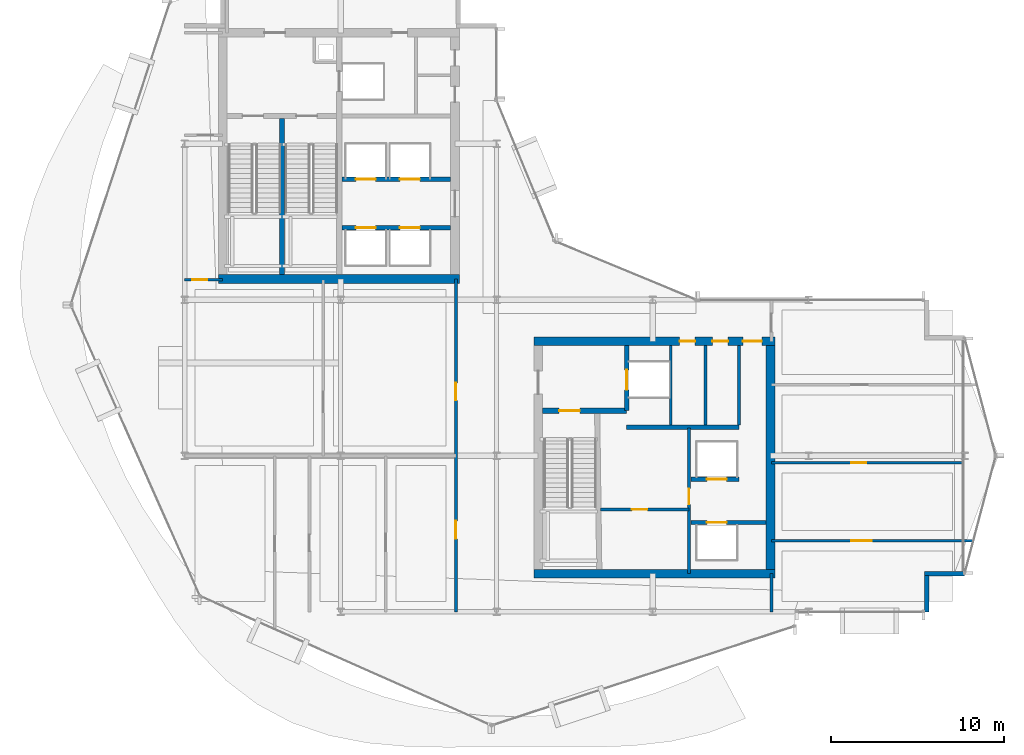
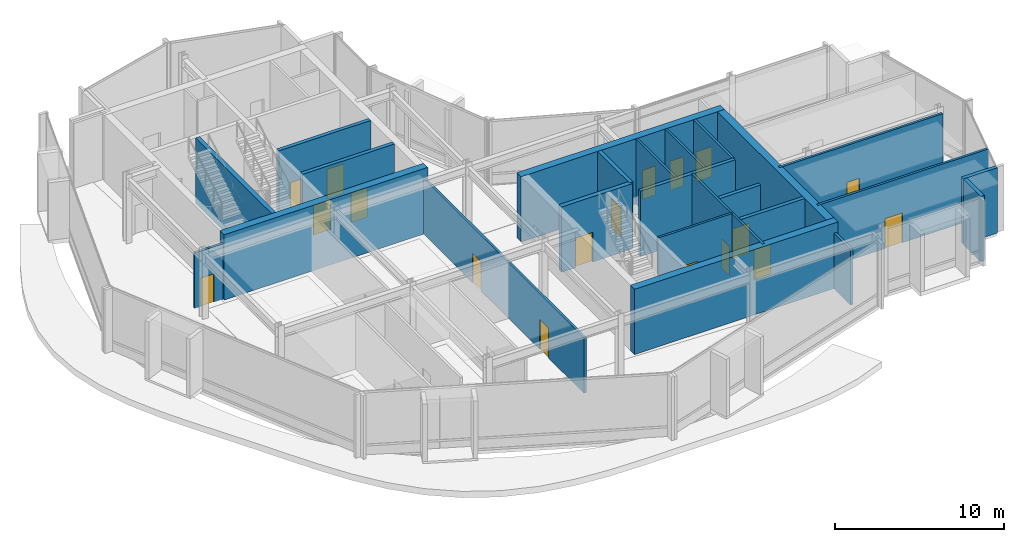
# One storey, part 20 of 28: 24 walls, 18 doors, 18 openings.
"""IFC4 building model written with IfcOpenShell, lengths in metres."""

from ifc_helpers import new_model, si_unit, direction, frame, frame_2d, origin, place, context, subcontext, project, spatial, rectangle, extrude, material, layer, layer_set, type_object, element, fill, save


model = new_model("IFC4")

# Units and contexts
model_context = context("Model", 3, precision=1e-05, world=origin(), true_north=direction((0.0, 1.0)))
body_context = subcontext(model_context, "Body", "Model", "MODEL_VIEW")
ifc_project = project(units=[si_unit("LENGTHUNIT", "METRE"), si_unit("AREAUNIT", "SQUARE_METRE"), si_unit("VOLUMEUNIT", "CUBIC_METRE"), si_unit("PLANEANGLEUNIT", "RADIAN"), si_unit("MASSUNIT", "GRAM", prefix="KILO")], contexts=[model_context])

# Site, building, storey
site_placement = place(None, origin())
site = spatial("IfcSite", under=ifc_project, at=site_placement, CompositionType="ELEMENT")
building_placement = place(site_placement, origin())
building = spatial("IfcBuilding", under=site, at=building_placement, Name="Solvaryn Broadcast Tower", CompositionType="ELEMENT")
storey_placement = place(building_placement, frame((0.0, 0.0, 201.199951171875)))
storey = spatial("IfcBuildingStorey", under=building, at=storey_placement, Name="L50", CompositionType="ELEMENT", Elevation=201.199951171875)

# Walls
ifc_material_1 = material(Name="Concrete f'c 70 MPa", Category="concrete")
ifc_layer_1 = layer(ifc_material_1, 0.5)
ifc_layer_set_1 = layer_set([ifc_layer_1], Name="CW-SHEAR-500")
wall_type_1 = type_object("IfcWallType", Name="CW-SHEAR-500", PredefinedType="SHEAR", material=ifc_layer_set_1)
for number, where, z_axis, x_axis, name in (
    (1, (10.949951171875, 28.199951171875, 0.0), (0.0, 0.0, 1.0), (1.0, 0.0, 0.0), "L50 West Core South Shear Wall"),
    (2, (29.14990234375, 11.199951171875, 0.0), (0.0, 0.0, 1.0), (1.0, 0.0, 0.0), "L50 East Core South Shear Wall"),
):
    element("IfcWall", number, at=place(storey_placement, frame(where, z_axis=z_axis, x_axis=x_axis)), inside=storey, type_object=wall_type_1, Name=name, PredefinedType="SHEAR", context=body_context, shape_type="SweptSolid", body=[
        extrude(rectangle(XDim=13.900146484375, YDim=0.5, at=frame_2d((6.9501953125, 0.0))), origin(), (0.0, 0.0, 1.0), 4.719970703125),
    ])

# Wall, openings, doors
wall_1_placement = place(storey_placement, frame((43.050048828125, 24.60009765625, 0.0), z_axis=(0.0, 0.0, 1.0), x_axis=(-1.0, 0.0, 0.0)))
wall_1 = element("IfcWall", 3, at=wall_1_placement, inside=storey, type_object=wall_type_1, Name="L50 East Core North Shear Wall", PredefinedType="SHEAR", context=body_context, shape_type="SweptSolid", body=[
    extrude(rectangle(XDim=13.900146484375, YDim=0.5, at=frame_2d((6.9501953125, 0.0))), origin(), (0.0, 0.0, 1.0), 4.719970703125),
])
opening_1_placement = place(wall_1_placement, frame((0.75, 0.0, 0.0)))
opening_1 = element("IfcOpeningElement", 4, at=opening_1_placement, cuts=wall_1, Name="Opening FD90C", PredefinedType="OPENING", context=body_context, shape_type="SweptSolid", body=[
    extrude(rectangle(XDim=1.10009765625, YDim=2.14990234375, at=frame_2d((0.550048828125, 1.074951171875))), frame((0.0, 0.260009765625, 0.0), z_axis=(0.0, -1.0, 0.0), x_axis=(1.0, 0.0, 0.0)), (0.0, 0.0, 1.0), 0.52001953125),
])
opening_2_placement = place(wall_1_placement, frame((2.699951171875, 0.0, 0.0)))
opening_2 = element("IfcOpeningElement", 5, at=opening_2_placement, cuts=wall_1, Name="Opening FD60C", PredefinedType="OPENING", context=body_context, shape_type="SweptSolid", body=[
    extrude(rectangle(XDim=0.89990234375, YDim=2.10009765625, at=frame_2d((0.449951171875, 1.050048828125))), frame((0.0, 0.260009765625, 0.0), z_axis=(0.0, -1.0, 0.0), x_axis=(1.0, 0.0, 0.0)), (0.0, 0.0, 1.0), 0.52001953125),
])
opening_3_placement = place(wall_1_placement, frame((4.60009765625, 0.0, 0.0)))
opening_3 = element("IfcOpeningElement", 6, at=opening_3_placement, cuts=wall_1, Name="Opening FD60C", PredefinedType="OPENING", context=body_context, shape_type="SweptSolid", body=[
    extrude(rectangle(XDim=0.89990234375, YDim=2.10009765625, at=frame_2d((0.449951171875, 1.050048828125))), frame((0.0, 0.260009765625, 0.0), z_axis=(0.0, -1.0, 0.0), x_axis=(1.0, 0.0, 0.0)), (0.0, 0.0, 1.0), 0.52001953125),
])
ifc_material_2 = material(Name="Flush Acoustic Steel and Timber Door Assembly", Category="steel")
door_type_1 = type_object("IfcDoorType", Name="FD60-SERV-900X2100", OperationType="NOTDEFINED", PredefinedType="DOOR", material=ifc_material_2)
door_1_placement = place(opening_2_placement, origin())
door_1 = element("IfcDoor", 7, at=door_1_placement, inside=storey, type_object=door_type_1, Name="L50 Staff Restroom Door", OperationType="SINGLE_SWING_LEFT", OverallHeight=2.10009765625, OverallWidth=0.89990234375, PredefinedType="DOOR", context=body_context, shape_type="SweptSolid", body=[
    extrude(rectangle(XDim=0.89990234375, YDim=2.10009765625, at=frame_2d((0.449951171875, 1.050048828125))), frame((0.0, 0.02490234375, 0.0), z_axis=(0.0, -1.0, 0.0), x_axis=(1.0, 0.0, 0.0)), (0.0, 0.0, 1.0), 0.050048828125),
])
fill(opening_2, door_1)
door_2_placement = place(opening_3_placement, origin())
door_2 = element("IfcDoor", 8, at=door_2_placement, inside=storey, type_object=door_type_1, Name="L50 Accessible WC Door", OperationType="SINGLE_SWING_RIGHT", OverallHeight=2.10009765625, OverallWidth=0.89990234375, PredefinedType="DOOR", context=body_context, shape_type="SweptSolid", body=[
    extrude(rectangle(XDim=0.89990234375, YDim=2.10009765625, at=frame_2d((0.449951171875, 1.050048828125))), frame((0.0, 0.02490234375, 0.0), z_axis=(0.0, -1.0, 0.0), x_axis=(1.0, 0.0, 0.0)), (0.0, 0.0, 1.0), 0.050048828125),
])
fill(opening_3, door_2)
ifc_material_3 = material(Name="Flush Acoustic Steel and Timber Door Assembly", Category="steel")
door_type_2 = type_object("IfcDoorType", Name="FD90-PLANT-1100X2150", OperationType="NOTDEFINED", PredefinedType="DOOR", material=ifc_material_3)
door_3_placement = place(opening_1_placement, origin())
door_3 = element("IfcDoor", 9, at=door_3_placement, inside=storey, type_object=door_type_2, Name="L50 East Core Lobby Corridor Door", OperationType="SINGLE_SWING_LEFT", OverallHeight=2.14990234375, OverallWidth=1.10009765625, PredefinedType="DOOR", context=body_context, shape_type="SweptSolid", body=[
    extrude(rectangle(XDim=1.10009765625, YDim=2.14990234375, at=frame_2d((0.550048828125, 1.074951171875))), frame((0.0, 0.02490234375, 0.0), z_axis=(0.0, -1.0, 0.0), x_axis=(1.0, 0.0, 0.0)), (0.0, 0.0, 1.0), 0.050048828125),
])
fill(opening_1, door_3)

# Walls
wall_2_placement = place(storey_placement, frame((42.800048828125, 11.449951171875, 0.0), z_axis=(0.0, 0.0, 1.0), x_axis=(0.0, 1.0, 0.0)))
element("IfcWall", 10, at=wall_2_placement, inside=storey, type_object=wall_type_1, Name="L50 East Core East Shear Wall", PredefinedType="SHEAR", context=body_context, shape_type="SweptSolid", body=[
    extrude(rectangle(XDim=12.900146484375, YDim=0.5, at=frame_2d((6.4501953125, 0.0))), origin(), (0.0, 0.0, 1.0), 4.719970703125),
])
ifc_material_4 = material(Name="Concrete f'c 50 MPa", Category="concrete")
ifc_layer_2 = layer(ifc_material_4, 0.260009765625)
ifc_layer_set_2 = layer_set([ifc_layer_2], Name="EW-PIER-260")
wall_type_2 = type_object("IfcWallType", Name="EW-PIER-260", PredefinedType="SOLIDWALL", material=ifc_layer_set_2)
wall_3_placement = place(storey_placement, frame((51.800048828125, 9.0, 0.0), z_axis=(0.0, 0.0, 1.0), x_axis=(0.0, 1.0, 0.0)))
element("IfcWall", 11, at=wall_3_placement, inside=storey, type_object=wall_type_2, Name="L50 Notched Corner Pier Wall NSE1", PredefinedType="SOLIDWALL", context=body_context, shape_type="SweptSolid", body=[
    extrude(rectangle(XDim=2.080078125, YDim=0.260009765625, at=frame_2d((1.0400390625, 0.0))), origin(), (0.0, 0.0, 1.0), 4.719970703125),
])
wall_4_placement = place(storey_placement, frame((51.679931640625, 11.199951171875, 0.0), z_axis=(0.0, 0.0, 1.0), x_axis=(1.0, 0.0, 0.0)))
element("IfcWall", 12, at=wall_4_placement, inside=storey, type_object=wall_type_2, Name="L50 Notched Corner Pier Wall NSE2", PredefinedType="SOLIDWALL", context=body_context, shape_type="SweptSolid", body=[
    extrude(rectangle(XDim=2.320068359375, YDim=0.260009765625, at=frame_2d((1.16015625, 0.0))), origin(), (0.0, 0.0, 1.0), 4.719970703125),
])

# Wall, opening, door
ifc_material_5 = material(Name="Metal-Stud Service Core Partition")
ifc_layer_3 = layer(ifc_material_5, 0.14990234375)
ifc_layer_set_3 = layer_set([ifc_layer_3], Name="IW-PART-150")
wall_type_3 = type_object("IfcWallType", Name="IW-PART-150", PredefinedType="PARTITIONING", material=ifc_layer_set_3)
wall_5_placement = place(storey_placement, frame((33.0, 14.89990234375, 0.0), z_axis=(0.0, 0.0, 1.0), x_axis=(1.0, 0.0, 0.0)))
wall_5 = element("IfcWall", 13, at=wall_5_placement, inside=storey, type_object=wall_type_3, Name="L50 Interior Partition IW-L50-RPL-H", PredefinedType="PARTITIONING", context=body_context, shape_type="SweptSolid", body=[
    extrude(rectangle(XDim=5.10009765625, YDim=0.14990234375, at=frame_2d((2.550048828125, 0.0))), origin(), (0.0, 0.0, 1.0), 4.719970703125),
])
opening_4_placement = place(wall_5_placement, frame((1.800048828125, 0.0, 0.0)))
opening_4 = element("IfcOpeningElement", 14, at=opening_4_placement, cuts=wall_5, Name="Opening FD60C", PredefinedType="OPENING", context=body_context, shape_type="SweptSolid", body=[
    extrude(rectangle(XDim=0.89990234375, YDim=2.10009765625, at=frame_2d((0.449951171875, 1.050048828125))), frame((0.0, 0.0849609375, 0.0), z_axis=(0.0, -1.0, 0.0), x_axis=(1.0, 0.0, 0.0)), (0.0, 0.0, 1.0), 0.169921875),
])
door_4_placement = place(opening_4_placement, origin())
door_4 = element("IfcDoor", 15, at=door_4_placement, inside=storey, type_object=door_type_1, Name="L50 Door DR-L50-RPL1", OperationType="SINGLE_SWING_LEFT", OverallHeight=2.10009765625, OverallWidth=0.89990234375, PredefinedType="DOOR", context=body_context, shape_type="SweptSolid", body=[
    extrude(rectangle(XDim=0.89990234375, YDim=2.10009765625, at=frame_2d((0.449951171875, 1.050048828125))), frame((0.0, 0.02490234375, 0.0), z_axis=(0.0, -1.0, 0.0), x_axis=(1.0, 0.0, 0.0)), (0.0, 0.0, 1.0), 0.050048828125),
])
fill(opening_4, door_4)

wall_6_placement = place(storey_placement, frame((38.10009765625, 11.199951171875, 0.0), z_axis=(0.0, 0.0, 1.0), x_axis=(0.0, 1.0, 0.0)))
wall_6 = element("IfcWall", 16, at=wall_6_placement, inside=storey, type_object=wall_type_3, Name="L50 Interior Partition IW-L50-RPL-E", PredefinedType="PARTITIONING", context=body_context, shape_type="SweptSolid", body=[
    extrude(rectangle(XDim=8.400146484375, YDim=0.14990234375, at=frame_2d((4.2001953125, 0.0))), origin(), (0.0, 0.0, 1.0), 4.719970703125),
])
opening_5_placement = place(wall_6_placement, frame((4.0, 0.0, 0.0)))
opening_5 = element("IfcOpeningElement", 17, at=opening_5_placement, cuts=wall_6, Name="Opening FD60C", PredefinedType="OPENING", context=body_context, shape_type="SweptSolid", body=[
    extrude(rectangle(XDim=0.89990234375, YDim=2.10009765625, at=frame_2d((0.449951171875, 1.050048828125))), frame((0.0, 0.0849609375, 0.0), z_axis=(0.0, -1.0, 0.0), x_axis=(1.0, 0.0, 0.0)), (0.0, 0.0, 1.0), 0.169921875),
])
door_5_placement = place(opening_5_placement, origin())
door_5 = element("IfcDoor", 18, at=door_5_placement, inside=storey, type_object=door_type_1, Name="L50 Door DR-L50-RPL2", OperationType="SINGLE_SWING_RIGHT", OverallHeight=2.10009765625, OverallWidth=0.89990234375, PredefinedType="DOOR", context=body_context, shape_type="SweptSolid", body=[
    extrude(rectangle(XDim=0.89990234375, YDim=2.10009765625, at=frame_2d((0.449951171875, 1.050048828125))), frame((0.0, 0.02490234375, 0.0), z_axis=(0.0, -1.0, 0.0), x_axis=(1.0, 0.0, 0.0)), (0.0, 0.0, 1.0), 0.050048828125),
])
fill(opening_5, door_5)

# Walls
for number, where, z_axis, x_axis, name in (
    (19, (37.050048828125, 19.780029296875, 0.0), (0.0, 0.0, 1.0), (0.0, 1.0, 0.0), "L50 Interior Partition IW-L50-CE-FL2E"),
    (20, (39.050048828125, 19.780029296875, 0.0), (0.0, 0.0, 1.0), (0.0, 1.0, 0.0), "L50 Interior Partition IW-L50-CE-V1"),
    (21, (40.97998046875, 19.780029296875, 0.0), (0.0, 0.0, 1.0), (0.0, 1.0, 0.0), "L50 Interior Partition IW-L50-CE-V3"),
):
    element("IfcWall", number, at=place(storey_placement, frame(where, z_axis=z_axis, x_axis=x_axis)), inside=storey, type_object=wall_type_3, Name=name, PredefinedType="PARTITIONING", context=body_context, shape_type="SweptSolid", body=[
        extrude(rectangle(XDim=4.570068359375, YDim=0.14990234375, at=frame_2d((2.28515625, 0.0))), origin(), (0.0, 0.0, 1.0), 4.719970703125),
    ])

# Wall, opening, door
ifc_material_6 = material(Name="Metal-Stud Gypsum Office Partition")
ifc_layer_4 = layer(ifc_material_6, 0.159912109375)
ifc_layer_set_4 = layer_set([ifc_layer_4], Name="IW-PART-160")
wall_type_4 = type_object("IfcWallType", Name="IW-PART-160", PredefinedType="PARTITIONING", material=ifc_layer_set_4)
wall_7_placement = place(storey_placement, frame((9.0, 28.14990234375, 0.0), z_axis=(0.0, 0.0, 1.0), x_axis=(1.0, 0.0, 0.0)))
wall_7 = element("IfcWall", 22, at=wall_7_placement, inside=storey, type_object=wall_type_4, Name="L50 Interior Partition IW-L50-WM-S", PredefinedType="PARTITIONING", context=body_context, shape_type="SweptSolid", body=[
    extrude(rectangle(XDim=2.199951171875, YDim=0.159912109375, at=frame_2d((1.10009765625, 0.0))), origin(), (0.0, 0.0, 1.0), 4.007080078125),
])
opening_6_placement = place(wall_7_placement, frame((0.449951171875, 0.0, 0.0)))
opening_6 = element("IfcOpeningElement", 23, at=opening_6_placement, cuts=wall_7, Name="Opening ID07", PredefinedType="OPENING", context=body_context, shape_type="SweptSolid", body=[
    extrude(rectangle(XDim=0.860107421875, YDim=2.050048828125, at=frame_2d((0.43017578125, 1.02490234375))), frame((0.0, 0.090087890625, 0.0), z_axis=(0.0, -1.0, 0.0), x_axis=(1.0, 0.0, 0.0)), (0.0, 0.0, 1.0), 0.179931640625),
])
ifc_material_7 = material(Name="Flush Acoustic Steel and Timber Door Assembly", Category="steel")
door_type_3 = type_object("IfcDoorType", Name="ID-07-860X2050", OperationType="NOTDEFINED", PredefinedType="DOOR", material=ifc_material_7)
door_6_placement = place(opening_6_placement, origin())
door_6 = element("IfcDoor", 24, at=door_6_placement, inside=storey, type_object=door_type_3, Name="L50 Door DR-L50-WM0", OperationType="SINGLE_SWING_RIGHT", OverallHeight=2.050048828125, OverallWidth=0.860107421875, PredefinedType="DOOR", context=body_context, shape_type="SweptSolid", body=[
    extrude(rectangle(XDim=0.860107421875, YDim=2.050048828125, at=frame_2d((0.43017578125, 1.02490234375))), frame((0.0, 0.02490234375, 0.0), z_axis=(0.0, -1.0, 0.0), x_axis=(1.0, 0.0, 0.0)), (0.0, 0.0, 1.0), 0.050048828125),
])
fill(opening_6, door_6)

# Wall, openings, doors
wall_8_placement = place(storey_placement, frame((24.64990234375, 9.0, 0.0), z_axis=(0.0, 0.0, 1.0), x_axis=(0.0, 1.0, 0.0)))
wall_8 = element("IfcWall", 25, at=wall_8_placement, inside=storey, type_object=wall_type_4, Name="L50 Interior Partition IW-L50-SW-EB", PredefinedType="PARTITIONING", context=body_context, shape_type="SweptSolid", body=[
    extrude(rectangle(XDim=19.199951171875, YDim=0.159912109375, at=frame_2d((9.60009765625, 0.0))), origin(), (0.0, 0.0, 1.0), 4.007080078125),
])
opening_7_placement = place(wall_8_placement, frame((12.199951171875, 0.0, 0.0)))
opening_7 = element("IfcOpeningElement", 26, at=opening_7_placement, cuts=wall_8, Name="Opening ID02", PredefinedType="OPENING", context=body_context, shape_type="SweptSolid", body=[
    extrude(rectangle(XDim=1.0, YDim=2.10009765625, at=frame_2d((0.5, 1.050048828125))), frame((0.0, 0.090087890625, 0.0), z_axis=(0.0, -1.0, 0.0), x_axis=(1.0, 0.0, 0.0)), (0.0, 0.0, 1.0), 0.179931640625),
])
opening_8_placement = place(wall_8_placement, frame((4.199951171875, 0.0, 0.0)))
opening_8 = element("IfcOpeningElement", 27, at=opening_8_placement, cuts=wall_8, Name="Opening ID03", PredefinedType="OPENING", context=body_context, shape_type="SweptSolid", body=[
    extrude(rectangle(XDim=1.050048828125, YDim=2.14990234375, at=frame_2d((0.52490234375, 1.074951171875))), frame((0.0, 0.090087890625, 0.0), z_axis=(0.0, -1.0, 0.0), x_axis=(1.0, 0.0, 0.0)), (0.0, 0.0, 1.0), 0.179931640625),
])
ifc_material_8 = material(Name="Flush Acoustic Steel and Timber Door Assembly", Category="steel")
door_type_4 = type_object("IfcDoorType", Name="ID-02-1000X2100", OperationType="NOTDEFINED", PredefinedType="DOOR", material=ifc_material_8)
door_7_placement = place(opening_7_placement, origin())
door_7 = element("IfcDoor", 28, at=door_7_placement, inside=storey, type_object=door_type_4, Name="L50 Door DR-L50-SW-EN", OperationType="SINGLE_SWING_RIGHT", OverallHeight=2.10009765625, OverallWidth=1.0, PredefinedType="DOOR", context=body_context, shape_type="SweptSolid", body=[
    extrude(rectangle(XDim=1.0, YDim=2.10009765625, at=frame_2d((0.5, 1.050048828125))), frame((0.0, 0.02490234375, 0.0), z_axis=(0.0, -1.0, 0.0), x_axis=(1.0, 0.0, 0.0)), (0.0, 0.0, 1.0), 0.050048828125),
])
fill(opening_7, door_7)
ifc_material_9 = material(Name="Flush Acoustic Steel and Timber Door Assembly", Category="steel")
door_type_5 = type_object("IfcDoorType", Name="ID-03-1050X2150", OperationType="NOTDEFINED", PredefinedType="DOOR", material=ifc_material_9)
door_8_placement = place(opening_8_placement, origin())
door_8 = element("IfcDoor", 29, at=door_8_placement, inside=storey, type_object=door_type_5, Name="L50 Door DR-L50-SW-ES", OperationType="SINGLE_SWING_LEFT", OverallHeight=2.14990234375, OverallWidth=1.050048828125, PredefinedType="DOOR", context=body_context, shape_type="SweptSolid", body=[
    extrude(rectangle(XDim=1.050048828125, YDim=2.14990234375, at=frame_2d((0.52490234375, 1.074951171875))), frame((0.0, 0.02490234375, 0.0), z_axis=(0.0, -1.0, 0.0), x_axis=(1.0, 0.0, 0.0)), (0.0, 0.0, 1.0), 0.050048828125),
])
fill(opening_8, door_8)

# Wall
wall_9_placement = place(storey_placement, frame((42.85009765625, 9.0, 0.0), z_axis=(0.0, 0.0, 1.0), x_axis=(0.0, 1.0, 0.0)))
element("IfcWall", 30, at=wall_9_placement, inside=storey, type_object=wall_type_4, Name="L50 Interior Partition IW-L50-SC-E", PredefinedType="PARTITIONING", context=body_context, shape_type="SweptSolid", body=[
    extrude(rectangle(XDim=2.199951171875, YDim=0.159912109375, at=frame_2d((1.10009765625, 0.0))), origin(), (0.0, 0.0, 1.0), 4.007080078125),
])

# Wall, opening, door
wall_10_placement = place(storey_placement, frame((42.85009765625, 13.10009765625, 0.0), z_axis=(0.0, 0.0, 1.0), x_axis=(1.0, 0.0, 0.0)))
wall_10 = element("IfcWall", 31, at=wall_10_placement, inside=storey, type_object=wall_type_4, Name="L50 Interior Partition IW-L50-EW-H1", PredefinedType="PARTITIONING", context=body_context, shape_type="SweptSolid", body=[
    extrude(rectangle(XDim=11.65283203125, YDim=0.159912109375, at=frame_2d((5.826416015625, 0.0))), origin(), (0.0, 0.0, 1.0), 4.719970703125),
])
opening_9_placement = place(wall_10_placement, frame((4.60009765625, 0.0, 0.0)))
opening_9 = element("IfcOpeningElement", 32, at=opening_9_placement, cuts=wall_10, Name="Opening ID04", PredefinedType="OPENING", context=body_context, shape_type="SweptSolid", body=[
    extrude(rectangle(XDim=1.199951171875, YDim=2.14990234375, at=frame_2d((0.60009765625, 1.074951171875))), frame((0.0, 0.090087890625, 0.0), z_axis=(0.0, -1.0, 0.0), x_axis=(1.0, 0.0, 0.0)), (0.0, 0.0, 1.0), 0.179931640625),
])
ifc_material_10 = material(Name="Flush Acoustic Steel and Timber Door Assembly", Category="steel")
door_type_6 = type_object("IfcDoorType", Name="ID-04-1200X2150", OperationType="NOTDEFINED", PredefinedType="DOOR", material=ifc_material_10)
door_9_placement = place(opening_9_placement, origin())
door_9 = element("IfcDoor", 33, at=door_9_placement, inside=storey, type_object=door_type_6, Name="L50 Door DR-L50-EW-1", OperationType="SINGLE_SWING_LEFT", OverallHeight=2.14990234375, OverallWidth=1.199951171875, PredefinedType="DOOR", context=body_context, shape_type="SweptSolid", body=[
    extrude(rectangle(XDim=1.199951171875, YDim=2.14990234375, at=frame_2d((0.60009765625, 1.074951171875))), frame((0.0, 0.02490234375, 0.0), z_axis=(0.0, -1.0, 0.0), x_axis=(1.0, 0.0, 0.0)), (0.0, 0.0, 1.0), 0.050048828125),
])
fill(opening_9, door_9)

wall_11_placement = place(storey_placement, frame((42.85009765625, 17.60009765625, 0.0), z_axis=(0.0, 0.0, 1.0), x_axis=(1.0, 0.0, 0.0)))
wall_11 = element("IfcWall", 34, at=wall_11_placement, inside=storey, type_object=wall_type_4, Name="L50 Interior Partition IW-L50-EW-H2", PredefinedType="PARTITIONING", context=body_context, shape_type="SweptSolid", body=[
    extrude(rectangle(XDim=11.14990234375, YDim=0.159912109375, at=frame_2d((5.574951171875, 0.0))), origin(), (0.0, 0.0, 1.0), 4.719970703125),
])
opening_10_placement = place(wall_11_placement, frame((4.60009765625, 0.0, 0.0)))
opening_10 = element("IfcOpeningElement", 35, at=opening_10_placement, cuts=wall_11, Name="Opening ID07", PredefinedType="OPENING", context=body_context, shape_type="SweptSolid", body=[
    extrude(rectangle(XDim=0.860107421875, YDim=2.050048828125, at=frame_2d((0.43017578125, 1.02490234375))), frame((0.0, 0.090087890625, 0.0), z_axis=(0.0, -1.0, 0.0), x_axis=(1.0, 0.0, 0.0)), (0.0, 0.0, 1.0), 0.179931640625),
])
door_10_placement = place(opening_10_placement, origin())
door_10 = element("IfcDoor", 36, at=door_10_placement, inside=storey, type_object=door_type_3, Name="L50 Door DR-L50-EW-2", OperationType="SINGLE_SWING_RIGHT", OverallHeight=2.050048828125, OverallWidth=0.860107421875, PredefinedType="DOOR", context=body_context, shape_type="SweptSolid", body=[
    extrude(rectangle(XDim=0.860107421875, YDim=2.050048828125, at=frame_2d((0.43017578125, 1.02490234375))), frame((0.0, 0.02490234375, 0.0), z_axis=(0.0, -1.0, 0.0), x_axis=(1.0, 0.0, 0.0)), (0.0, 0.0, 1.0), 0.050048828125),
])
fill(opening_10, door_10)

# Wall, openings, doors
ifc_material_11 = material(Name="Concrete f'c 60 MPa", Category="concrete")
ifc_layer_5 = layer(ifc_material_11, 0.25)
ifc_layer_set_5 = layer_set([ifc_layer_5], Name="SW-SHAFT-250")
wall_type_5 = type_object("IfcWallType", Name="SW-SHAFT-250", PredefinedType="PARTITIONING", material=ifc_layer_set_5)
wall_12_placement = place(storey_placement, frame((18.070068359375, 31.14990234375, 0.0), z_axis=(0.0, 0.0, 1.0), x_axis=(1.0, 0.0, 0.0)))
wall_12 = element("IfcWall", 37, at=wall_12_placement, inside=storey, type_object=wall_type_5, Name="L50 High-Rise Lift Bank South Wall", PredefinedType="PARTITIONING", context=body_context, shape_type="SweptSolid", body=[
    extrude(rectangle(XDim=6.280029296875, YDim=0.25, at=frame_2d((3.14013671875, 0.0))), origin(), (0.0, 0.0, 1.0), 4.719970703125),
])
opening_11_placement = place(wall_12_placement, frame((0.804931640625, 0.0, 0.0)))
opening_11 = element("IfcOpeningElement", 38, at=opening_11_placement, cuts=wall_12, Name="Opening LD01", PredefinedType="OPENING", context=body_context, shape_type="SweptSolid", body=[
    extrude(rectangle(XDim=1.14990234375, YDim=2.14990234375, at=frame_2d((0.574951171875, 1.074951171875))), frame((0.0, 0.135009765625, 0.0), z_axis=(0.0, -1.0, 0.0), x_axis=(1.0, 0.0, 0.0)), (0.0, 0.0, 1.0), 0.27001953125),
])
opening_12_placement = place(wall_12_placement, frame((3.35498046875, 0.0, 0.0)))
opening_12 = element("IfcOpeningElement", 39, at=opening_12_placement, cuts=wall_12, Name="Opening LD01", PredefinedType="OPENING", context=body_context, shape_type="SweptSolid", body=[
    extrude(rectangle(XDim=1.14990234375, YDim=2.14990234375, at=frame_2d((0.574951171875, 1.074951171875))), frame((0.0, 0.135009765625, 0.0), z_axis=(0.0, -1.0, 0.0), x_axis=(1.0, 0.0, 0.0)), (0.0, 0.0, 1.0), 0.27001953125),
])
ifc_material_12 = material(Name="Flush Acoustic Steel and Timber Door Assembly", Category="steel")
door_type_7 = type_object("IfcDoorType", Name="LD-LIFT-1150X2150", OperationType="NOTDEFINED", PredefinedType="DOOR", material=ifc_material_12)
door_11_placement = place(opening_11_placement, origin())
door_11 = element("IfcDoor", 40, at=door_11_placement, inside=storey, type_object=door_type_7, Name="L50 PH1 Lift Landing Door", OperationType="DOUBLE_DOOR_SLIDING", OverallHeight=2.14990234375, OverallWidth=1.14990234375, PredefinedType="DOOR", context=body_context, shape_type="SweptSolid", body=[
    extrude(rectangle(XDim=1.14990234375, YDim=2.14990234375, at=frame_2d((0.574951171875, 1.074951171875))), frame((0.0, 0.02490234375, 0.0), z_axis=(0.0, -1.0, 0.0), x_axis=(1.0, 0.0, 0.0)), (0.0, 0.0, 1.0), 0.050048828125),
])
fill(opening_11, door_11)
door_12_placement = place(opening_12_placement, origin())
door_12 = element("IfcDoor", 41, at=door_12_placement, inside=storey, type_object=door_type_7, Name="L50 PH2 Lift Landing Door", OperationType="DOUBLE_DOOR_SLIDING", OverallHeight=2.14990234375, OverallWidth=1.14990234375, PredefinedType="DOOR", context=body_context, shape_type="SweptSolid", body=[
    extrude(rectangle(XDim=1.14990234375, YDim=2.14990234375, at=frame_2d((0.574951171875, 1.074951171875))), frame((0.0, 0.02490234375, 0.0), z_axis=(0.0, -1.0, 0.0), x_axis=(1.0, 0.0, 0.0)), (0.0, 0.0, 1.0), 0.050048828125),
])
fill(opening_12, door_12)

wall_13_placement = place(storey_placement, frame((24.35009765625, 33.949951171875, 0.0), z_axis=(0.0, 0.0, 1.0), x_axis=(-1.0, 0.0, 0.0)))
wall_13 = element("IfcWall", 42, at=wall_13_placement, inside=storey, type_object=wall_type_5, Name="L50 High-Rise Lift Bank North Wall", PredefinedType="PARTITIONING", context=body_context, shape_type="SweptSolid", body=[
    extrude(rectangle(XDim=6.280029296875, YDim=0.25, at=frame_2d((3.14013671875, 0.0))), origin(), (0.0, 0.0, 1.0), 4.719970703125),
])
opening_13_placement = place(wall_13_placement, frame((4.324951171875, 0.0, 0.0)))
opening_13 = element("IfcOpeningElement", 43, at=opening_13_placement, cuts=wall_13, Name="Opening LD01", PredefinedType="OPENING", context=body_context, shape_type="SweptSolid", body=[
    extrude(rectangle(XDim=1.14990234375, YDim=2.14990234375, at=frame_2d((0.574951171875, 1.074951171875))), frame((0.0, 0.135009765625, 0.0), z_axis=(0.0, -1.0, 0.0), x_axis=(1.0, 0.0, 0.0)), (0.0, 0.0, 1.0), 0.27001953125),
])
opening_14_placement = place(wall_13_placement, frame((1.77490234375, 0.0, 0.0)))
opening_14 = element("IfcOpeningElement", 44, at=opening_14_placement, cuts=wall_13, Name="Opening LD01", PredefinedType="OPENING", context=body_context, shape_type="SweptSolid", body=[
    extrude(rectangle(XDim=1.14990234375, YDim=2.14990234375, at=frame_2d((0.574951171875, 1.074951171875))), frame((0.0, 0.135009765625, 0.0), z_axis=(0.0, -1.0, 0.0), x_axis=(1.0, 0.0, 0.0)), (0.0, 0.0, 1.0), 0.27001953125),
])
door_13_placement = place(opening_13_placement, origin())
door_13 = element("IfcDoor", 45, at=door_13_placement, inside=storey, type_object=door_type_7, Name="L50 PH3 Lift Landing Door", OperationType="DOUBLE_DOOR_SLIDING", OverallHeight=2.14990234375, OverallWidth=1.14990234375, PredefinedType="DOOR", context=body_context, shape_type="SweptSolid", body=[
    extrude(rectangle(XDim=1.14990234375, YDim=2.14990234375, at=frame_2d((0.574951171875, 1.074951171875))), frame((0.0, 0.02490234375, 0.0), z_axis=(0.0, -1.0, 0.0), x_axis=(1.0, 0.0, 0.0)), (0.0, 0.0, 1.0), 0.050048828125),
])
fill(opening_13, door_13)
door_14_placement = place(opening_14_placement, origin())
door_14 = element("IfcDoor", 46, at=door_14_placement, inside=storey, type_object=door_type_7, Name="L50 PH4 Lift Landing Door", OperationType="DOUBLE_DOOR_SLIDING", OverallHeight=2.14990234375, OverallWidth=1.14990234375, PredefinedType="DOOR", context=body_context, shape_type="SweptSolid", body=[
    extrude(rectangle(XDim=1.14990234375, YDim=2.14990234375, at=frame_2d((0.574951171875, 1.074951171875))), frame((0.0, 0.02490234375, 0.0), z_axis=(0.0, -1.0, 0.0), x_axis=(1.0, 0.0, 0.0)), (0.0, 0.0, 1.0), 0.050048828125),
])
fill(opening_14, door_14)

# Wall, opening, door
wall_14_placement = place(storey_placement, frame((34.5, 20.60009765625, 0.0), z_axis=(0.0, 0.0, 1.0), x_axis=(0.0, 1.0, 0.0)))
wall_14 = element("IfcWall", 47, at=wall_14_placement, inside=storey, type_object=wall_type_5, Name="L50 East FSAE Lobby East Wall", PredefinedType="PARTITIONING", context=body_context, shape_type="SweptSolid", body=[
    extrude(rectangle(XDim=3.75, YDim=0.25, at=frame_2d((1.875, 0.0))), origin(), (0.0, 0.0, 1.0), 4.719970703125),
])
opening_15_placement = place(wall_14_placement, frame((1.199951171875, 0.0, 0.0)))
opening_15 = element("IfcOpeningElement", 48, at=opening_15_placement, cuts=wall_14, Name="Opening LD01", PredefinedType="OPENING", context=body_context, shape_type="SweptSolid", body=[
    extrude(rectangle(XDim=1.14990234375, YDim=2.14990234375, at=frame_2d((0.574951171875, 1.074951171875))), frame((0.0, 0.135009765625, 0.0), z_axis=(0.0, -1.0, 0.0), x_axis=(1.0, 0.0, 0.0)), (0.0, 0.0, 1.0), 0.27001953125),
])
door_15_placement = place(opening_15_placement, origin())
door_15 = element("IfcDoor", 49, at=door_15_placement, inside=storey, type_object=door_type_7, Name="L50 FL2 Lift Landing Door", OperationType="DOUBLE_DOOR_SLIDING", OverallHeight=2.14990234375, OverallWidth=1.14990234375, PredefinedType="DOOR", context=body_context, shape_type="SweptSolid", body=[
    extrude(rectangle(XDim=1.14990234375, YDim=2.14990234375, at=frame_2d((0.574951171875, 1.074951171875))), frame((0.0, 0.02490234375, 0.0), z_axis=(0.0, -1.0, 0.0), x_axis=(1.0, 0.0, 0.0)), (0.0, 0.0, 1.0), 0.050048828125),
])
fill(opening_15, door_15)

# Wall
wall_15_placement = place(storey_placement, frame((34.5, 19.64990234375, 0.0), z_axis=(0.0, 0.0, 1.0), x_axis=(1.0, 0.0, 0.0)))
element("IfcWall", 50, at=wall_15_placement, inside=storey, type_object=wall_type_5, Name="L50 East Core Restroom South Wall", PredefinedType="PARTITIONING", context=body_context, shape_type="SweptSolid", body=[
    extrude(rectangle(XDim=6.47998046875, YDim=0.25, at=frame_2d((3.239990234375, 0.0))), origin(), (0.0, 0.0, 1.0), 4.719970703125),
])

# Wall, opening, door
wall_16_placement = place(storey_placement, frame((38.199951171875, 14.14990234375, 0.0), z_axis=(0.0, 0.0, 1.0), x_axis=(1.0, 0.0, 0.0)))
wall_16 = element("IfcWall", 51, at=wall_16_placement, inside=storey, type_object=wall_type_5, Name="L50 East Lift Bank South Wall", PredefinedType="PARTITIONING", context=body_context, shape_type="SweptSolid", body=[
    extrude(rectangle(XDim=4.35009765625, YDim=0.25, at=frame_2d((2.175048828125, 0.0))), origin(), (0.0, 0.0, 1.0), 4.719970703125),
])
opening_16_placement = place(wall_16_placement, frame((0.925048828125, 0.0, 0.0)))
opening_16 = element("IfcOpeningElement", 52, at=opening_16_placement, cuts=wall_16, Name="Opening LD01", PredefinedType="OPENING", context=body_context, shape_type="SweptSolid", body=[
    extrude(rectangle(XDim=1.14990234375, YDim=2.14990234375, at=frame_2d((0.574951171875, 1.074951171875))), frame((0.0, 0.135009765625, 0.0), z_axis=(0.0, -1.0, 0.0), x_axis=(1.0, 0.0, 0.0)), (0.0, 0.0, 1.0), 0.27001953125),
])
door_16_placement = place(opening_16_placement, origin())
door_16 = element("IfcDoor", 53, at=door_16_placement, inside=storey, type_object=door_type_7, Name="L50 PM1 Lift Landing Door", OperationType="DOUBLE_DOOR_SLIDING", OverallHeight=2.14990234375, OverallWidth=1.14990234375, PredefinedType="DOOR", context=body_context, shape_type="SweptSolid", body=[
    extrude(rectangle(XDim=1.14990234375, YDim=2.14990234375, at=frame_2d((0.574951171875, 1.074951171875))), frame((0.0, 0.02490234375, 0.0), z_axis=(0.0, -1.0, 0.0), x_axis=(1.0, 0.0, 0.0)), (0.0, 0.0, 1.0), 0.050048828125),
])
fill(opening_16, door_16)

wall_17_placement = place(storey_placement, frame((40.97998046875, 16.64990234375, 0.0), z_axis=(0.0, 0.0, 1.0), x_axis=(-1.0, 0.0, 0.0)))
wall_17 = element("IfcWall", 54, at=wall_17_placement, inside=storey, type_object=wall_type_5, Name="L50 East Lift Bank North Wall", PredefinedType="PARTITIONING", context=body_context, shape_type="SweptSolid", body=[
    extrude(rectangle(XDim=2.780029296875, YDim=0.25, at=frame_2d((1.39013671875, 0.0))), origin(), (0.0, 0.0, 1.0), 4.719970703125),
])
opening_17_placement = place(wall_17_placement, frame((0.705078125, 0.0, 0.0)))
opening_17 = element("IfcOpeningElement", 55, at=opening_17_placement, cuts=wall_17, Name="Opening LD01", PredefinedType="OPENING", context=body_context, shape_type="SweptSolid", body=[
    extrude(rectangle(XDim=1.14990234375, YDim=2.14990234375, at=frame_2d((0.574951171875, 1.074951171875))), frame((0.0, 0.135009765625, 0.0), z_axis=(0.0, -1.0, 0.0), x_axis=(1.0, 0.0, 0.0)), (0.0, 0.0, 1.0), 0.27001953125),
])
door_17_placement = place(opening_17_placement, origin())
door_17 = element("IfcDoor", 56, at=door_17_placement, inside=storey, type_object=door_type_7, Name="L50 PM2 Lift Landing Door", OperationType="DOUBLE_DOOR_SLIDING", OverallHeight=2.14990234375, OverallWidth=1.14990234375, PredefinedType="DOOR", context=body_context, shape_type="SweptSolid", body=[
    extrude(rectangle(XDim=1.14990234375, YDim=2.14990234375, at=frame_2d((0.574951171875, 1.074951171875))), frame((0.0, 0.02490234375, 0.0), z_axis=(0.0, -1.0, 0.0), x_axis=(1.0, 0.0, 0.0)), (0.0, 0.0, 1.0), 0.050048828125),
])
fill(opening_17, door_17)

# Wall
ifc_material_13 = material(Name="Concrete f'c 70 MPa", Category="concrete")
ifc_layer_6 = layer(ifc_material_13, 0.300048828125)
ifc_layer_set_6 = layer_set([ifc_layer_6], Name="SW-SHAFT-300")
wall_type_6 = type_object("IfcWallType", Name="SW-SHAFT-300", PredefinedType="SHEAR", material=ifc_layer_set_6)
wall_18_placement = place(storey_placement, frame((14.6201171875, 28.449951171875, 0.0), z_axis=(0.0, 0.0, 1.0), x_axis=(0.0, 1.0, 0.0)))
element("IfcWall", 57, at=wall_18_placement, inside=storey, type_object=wall_type_6, Name="L50 Stair 1-2 Dividing Wall", PredefinedType="SHEAR", context=body_context, shape_type="SweptSolid", body=[
    extrude(rectangle(XDim=9.0, YDim=0.300048828125, at=frame_2d((4.5, 0.0))), origin(), (0.0, 0.0, 1.0), 4.719970703125),
])

# Wall, opening, door
wall_19_placement = place(storey_placement, frame((34.5, 20.60009765625, 0.0), z_axis=(0.0, 0.0, 1.0), x_axis=(-1.0, 0.0, 0.0)))
wall_19 = element("IfcWall", 58, at=wall_19_placement, inside=storey, type_object=wall_type_6, Name="L50 East FSAE Lobby South Wall", PredefinedType="SHEAR", context=body_context, shape_type="SweptSolid", body=[
    extrude(rectangle(XDim=4.85009765625, YDim=0.300048828125, at=frame_2d((2.425048828125, 0.0))), origin(), (0.0, 0.0, 1.0), 4.719970703125),
])
opening_18_placement = place(wall_19_placement, frame((2.699951171875, 0.0, 0.0)))
opening_18 = element("IfcOpeningElement", 59, at=opening_18_placement, cuts=wall_19, Name="Opening FD90A", PredefinedType="OPENING", context=body_context, shape_type="SweptSolid", body=[
    extrude(rectangle(XDim=1.199951171875, YDim=2.14990234375, at=frame_2d((0.60009765625, 1.074951171875))), frame((0.0, 0.159912109375, 0.0), z_axis=(0.0, -1.0, 0.0), x_axis=(1.0, 0.0, 0.0)), (0.0, 0.0, 1.0), 0.320068359375),
])
ifc_material_14 = material(Name="Flush Acoustic Steel and Timber Door Assembly", Category="steel")
door_type_8 = type_object("IfcDoorType", Name="FD90-STAIR-1200X2150", OperationType="NOTDEFINED", PredefinedType="DOOR", material=ifc_material_14)
door_18_placement = place(opening_18_placement, origin())
door_18 = element("IfcDoor", 60, at=door_18_placement, inside=storey, type_object=door_type_8, Name="L50 Stair 3 Fire Door", OperationType="SINGLE_SWING_LEFT", OverallHeight=2.14990234375, OverallWidth=1.199951171875, PredefinedType="DOOR", context=body_context, shape_type="SweptSolid", body=[
    extrude(rectangle(XDim=1.199951171875, YDim=2.14990234375, at=frame_2d((0.60009765625, 1.074951171875))), frame((0.0, 0.02490234375, 0.0), z_axis=(0.0, -1.0, 0.0), x_axis=(1.0, 0.0, 0.0)), (0.0, 0.0, 1.0), 0.050048828125),
])
fill(opening_18, door_18)

save(model, "model.ifc")
